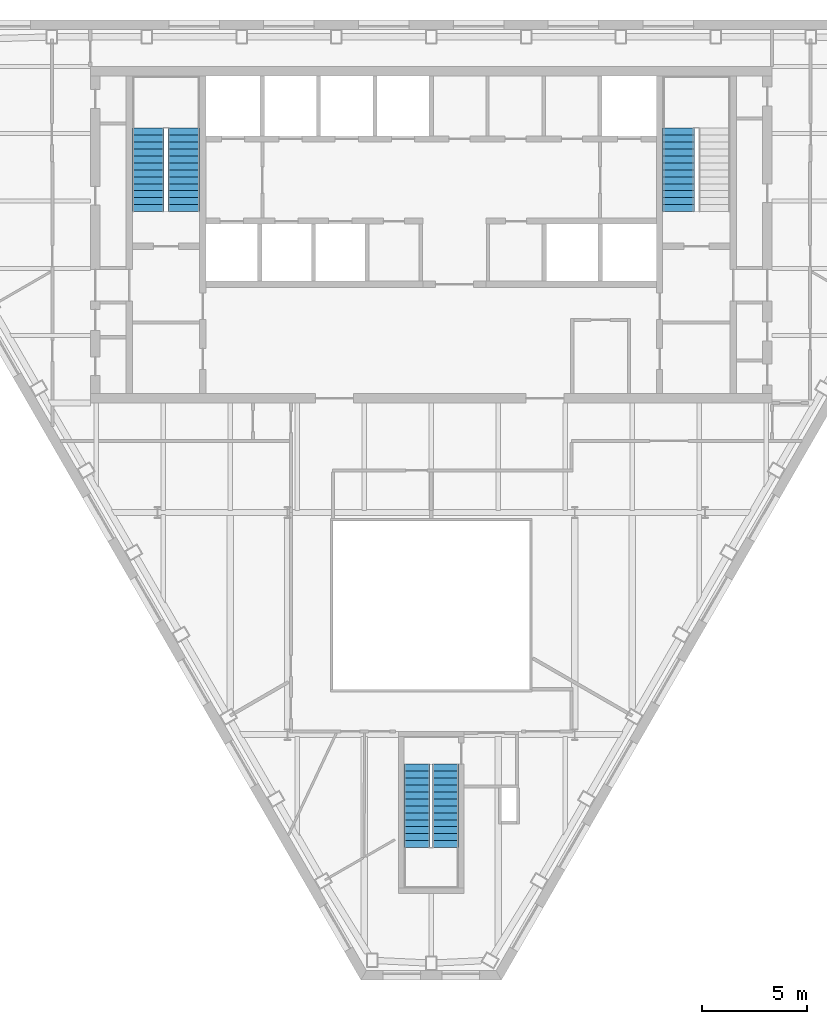
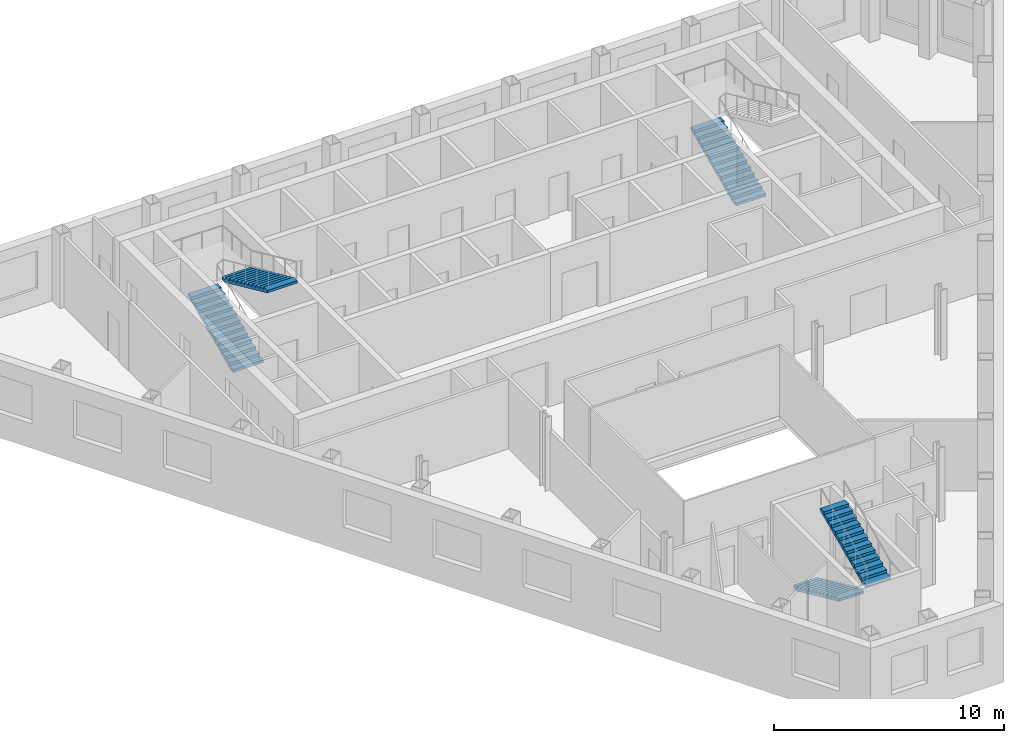
# One storey, part 8 of 10: 5 stair flights, 3 elements without a shape of their own.
"""IFC4 building model written with IfcOpenShell, lengths in metres."""

from ifc_helpers import new_model, si_unit, direction, frame, origin, place, context, subcontext, project, spatial, polygons, material, type_object, element, aggregate, save


model = new_model("IFC4")

# Units and contexts
model_context = context("Model", 3, precision=1e-05, world=origin(), true_north=direction((0.0, 1.0)))
body_context = subcontext(model_context, "Body", "Model", "MODEL_VIEW")
ifc_project = project(units=[si_unit("LENGTHUNIT", "METRE"), si_unit("AREAUNIT", "SQUARE_METRE"), si_unit("VOLUMEUNIT", "CUBIC_METRE"), si_unit("PLANEANGLEUNIT", "RADIAN"), si_unit("MASSUNIT", "GRAM", prefix="KILO")], contexts=[model_context])

# Site, building, storey
site_placement = place(None, origin())
site = spatial("IfcSite", under=ifc_project, at=site_placement, CompositionType="ELEMENT")
building_placement = place(site_placement, origin())
building = spatial("IfcBuilding", under=site, at=building_placement, Name="Njiva Tower", CompositionType="ELEMENT")
storey_placement = place(building_placement, frame((0.0, 0.0, 235.5)))
storey = spatial("IfcBuildingStorey", under=building, at=storey_placement, Name="L53", CompositionType="ELEMENT", Elevation=235.5)

# Stair, stair flights
ifc_material = material(Name="Concrete C40/50", Category="concrete")
stair_type_1 = type_object("IfcStairType", Name="ST1 Exit stair 1250", PredefinedType="HALF_TURN_STAIR", material=ifc_material)
stair_1_placement = place(storey_placement, origin())
stair_1 = element("IfcStair", 1, at=stair_1_placement, inside=storey, type_object=stair_type_1, Name="Stair C", PredefinedType="HALF_TURN_STAIR")
stair_flight_type_1 = type_object("IfcStairFlightType", Name="FL1 Stair flight 1250", PredefinedType="STRAIGHT", material=ifc_material)
stair_flight_1_placement = place(storey_placement, frame((-0.675, -15.16, 0.0), z_axis=(0.0, 0.0, 1.0), x_axis=(0.0, -1.0, 0.0)))
stair_flight_1 = element("IfcStairFlight", 2, at=stair_flight_1_placement, type_object=stair_flight_type_1, Name="ST-C flight 1", NumberOfRisers=13, NumberOfTreads=12, PredefinedType="STRAIGHT", RiserHeight=0.15, TreadLength=0.33, context=body_context, shape_type="Tessellation", body=[
    polygons([(0.0, 0.625, 0.0), (0.0, 0.3125, 0.0), (0.0, 0.0, 0.0), (0.0, -0.3125, 0.0), (0.0, -0.625, 0.0), (0.0, 0.625, 0.15), (0.0, 0.3125, 0.15), (0.0, 0.0, 0.15), (0.0, -0.3125, 0.15), (0.0, -0.625, 0.15), (0.33, 0.625, 0.15), (0.33, 0.3125, 0.15), (0.33, 0.0, 0.15), (0.33, -0.3125, 0.15), (0.33, -0.625, 0.15), (0.33, 0.625, 0.3), (0.33, 0.3125, 0.3), (0.33, 0.0, 0.3), (0.33, -0.3125, 0.3), (0.33, -0.625, 0.3), (0.66, 0.625, 0.3), (0.66, 0.3125, 0.3), (0.66, 0.0, 0.3), (0.66, -0.3125, 0.3), (0.66, -0.625, 0.3), (0.66, 0.625, 0.45), (0.66, 0.3125, 0.45), (0.66, 0.0, 0.45), (0.66, -0.3125, 0.45), (0.66, -0.625, 0.45), (0.99, 0.625, 0.45), (0.99, 0.3125, 0.45), (0.99, 0.0, 0.45), (0.99, -0.3125, 0.45), (0.99, -0.625, 0.45), (0.99, 0.625, 0.6), (0.99, 0.3125, 0.6), (0.99, 0.0, 0.6), (0.99, -0.3125, 0.6), (0.99, -0.625, 0.6), (1.32, 0.625, 0.6), (1.32, 0.3125, 0.6), (1.32, 0.0, 0.6), (1.32, -0.3125, 0.6), (1.32, -0.625, 0.6), (1.32, 0.625, 0.75), (1.32, 0.3125, 0.75), (1.32, 0.0, 0.75), (1.32, -0.3125, 0.75), (1.32, -0.625, 0.75), (1.65, 0.625, 0.75), (1.65, 0.3125, 0.75), (1.65, 0.0, 0.75), (1.65, -0.3125, 0.75), (1.65, -0.625, 0.75), (1.65, 0.625, 0.9), (1.65, 0.3125, 0.9), (1.65, 0.0, 0.9), (1.65, -0.3125, 0.9), (1.65, -0.625, 0.9), (1.98, 0.625, 0.9), (1.98, 0.3125, 0.9), (1.98, 0.0, 0.9), (1.98, -0.3125, 0.9), (1.98, -0.625, 0.9), (1.98, 0.625, 1.05), (1.98, 0.3125, 1.05), (1.98, 0.0, 1.05), (1.98, -0.3125, 1.05), (1.98, -0.625, 1.05), (2.31, 0.625, 1.05), (2.31, 0.3125, 1.05), (2.31, 0.0, 1.05), (2.31, -0.3125, 1.05), (2.31, -0.625, 1.05), (2.31, 0.625, 1.2), (2.31, 0.3125, 1.2), (2.31, 0.0, 1.2), (2.31, -0.3125, 1.2), (2.31, -0.625, 1.2), (2.64, 0.625, 1.2), (2.64, 0.3125, 1.2), (2.64, 0.0, 1.2), (2.64, -0.3125, 1.2), (2.64, -0.625, 1.2), (2.64, 0.625, 1.35), (2.64, 0.3125, 1.35), (2.64, 0.0, 1.35), (2.64, -0.3125, 1.35), (2.64, -0.625, 1.35), (2.97, 0.625, 1.35), (2.97, 0.3125, 1.35), (2.97, 0.0, 1.35), (2.97, -0.3125, 1.35), (2.97, -0.625, 1.35), (2.97, 0.625, 1.5), (2.97, 0.3125, 1.5), (2.97, 0.0, 1.5), (2.97, -0.3125, 1.5), (2.97, -0.625, 1.5), (3.3, 0.625, 1.5), (3.3, 0.3125, 1.5), (3.3, 0.0, 1.5), (3.3, -0.3125, 1.5), (3.3, -0.625, 1.5), (3.3, 0.625, 1.65), (3.3, 0.3125, 1.65), (3.3, 0.0, 1.65), (3.3, -0.3125, 1.65), (3.3, -0.625, 1.65), (3.63, 0.625, 1.65), (3.63, 0.3125, 1.65), (3.63, 0.0, 1.65), (3.63, -0.3125, 1.65), (3.63, -0.625, 1.65), (3.63, 0.625, 1.8), (3.63, 0.3125, 1.8), (3.63, 0.0, 1.8), (3.63, -0.3125, 1.8), (3.63, -0.625, 1.8), (3.96, 0.625, 1.8), (3.96, 0.3125, 1.8), (3.96, 0.0, 1.8), (3.96, -0.3125, 1.8), (3.96, -0.625, 1.8), (3.96, 0.625, 1.6682), (3.96, 0.3125, 1.6682), (3.96, 0.0, 1.6682), (3.96, -0.3125, 1.6682), (3.96, -0.625, 1.6682), (0.29, 0.625, 0.0), (0.29, 0.3125, 0.0), (0.29, 0.0, 0.0), (0.29, -0.3125, 0.0), (0.29, -0.625, 0.0)], [[[1, 6, 11, 16, 21, 26, 31, 36, 41, 46, 51, 56, 61, 66, 71, 76, 81, 86, 91, 96, 101, 106, 111, 116, 121, 126, 131]], [[135, 130, 125, 120, 115, 110, 105, 100, 95, 90, 85, 80, 75, 70, 65, 60, 55, 50, 45, 40, 35, 30, 25, 20, 15, 10, 5]], [[6, 1, 2, 7]], [[7, 2, 3, 8]], [[8, 3, 4, 9]], [[9, 4, 5, 10]], [[11, 6, 7, 12]], [[12, 7, 8, 13]], [[13, 8, 9, 14]], [[14, 9, 10, 15]], [[16, 11, 12, 17]], [[17, 12, 13, 18]], [[18, 13, 14, 19]], [[19, 14, 15, 20]], [[21, 16, 17, 22]], [[22, 17, 18, 23]], [[23, 18, 19, 24]], [[24, 19, 20, 25]], [[26, 21, 22, 27]], [[27, 22, 23, 28]], [[28, 23, 24, 29]], [[29, 24, 25, 30]], [[31, 26, 27, 32]], [[32, 27, 28, 33]], [[33, 28, 29, 34]], [[34, 29, 30, 35]], [[36, 31, 32, 37]], [[37, 32, 33, 38]], [[38, 33, 34, 39]], [[39, 34, 35, 40]], [[41, 36, 37, 42]], [[42, 37, 38, 43]], [[43, 38, 39, 44]], [[44, 39, 40, 45]], [[46, 41, 42, 47]], [[47, 42, 43, 48]], [[48, 43, 44, 49]], [[49, 44, 45, 50]], [[51, 46, 47, 52]], [[52, 47, 48, 53]], [[53, 48, 49, 54]], [[54, 49, 50, 55]], [[56, 51, 52, 57]], [[57, 52, 53, 58]], [[58, 53, 54, 59]], [[59, 54, 55, 60]], [[61, 56, 57, 62]], [[62, 57, 58, 63]], [[63, 58, 59, 64]], [[64, 59, 60, 65]], [[66, 61, 62, 67]], [[67, 62, 63, 68]], [[68, 63, 64, 69]], [[69, 64, 65, 70]], [[71, 66, 67, 72]], [[72, 67, 68, 73]], [[73, 68, 69, 74]], [[74, 69, 70, 75]], [[76, 71, 72, 77]], [[77, 72, 73, 78]], [[78, 73, 74, 79]], [[79, 74, 75, 80]], [[81, 76, 77, 82]], [[82, 77, 78, 83]], [[83, 78, 79, 84]], [[84, 79, 80, 85]], [[86, 81, 82, 87]], [[87, 82, 83, 88]], [[88, 83, 84, 89]], [[89, 84, 85, 90]], [[91, 86, 87, 92]], [[92, 87, 88, 93]], [[93, 88, 89, 94]], [[94, 89, 90, 95]], [[96, 91, 92, 97]], [[97, 92, 93, 98]], [[98, 93, 94, 99]], [[99, 94, 95, 100]], [[101, 96, 97, 102]], [[102, 97, 98, 103]], [[103, 98, 99, 104]], [[104, 99, 100, 105]], [[106, 101, 102, 107]], [[107, 102, 103, 108]], [[108, 103, 104, 109]], [[109, 104, 105, 110]], [[111, 106, 107, 112]], [[112, 107, 108, 113]], [[113, 108, 109, 114]], [[114, 109, 110, 115]], [[116, 111, 112, 117]], [[117, 112, 113, 118]], [[118, 113, 114, 119]], [[119, 114, 115, 120]], [[121, 116, 117, 122]], [[122, 117, 118, 123]], [[123, 118, 119, 124]], [[124, 119, 120, 125]], [[126, 121, 122, 127]], [[127, 122, 123, 128]], [[128, 123, 124, 129]], [[129, 124, 125, 130]], [[131, 126, 127, 132]], [[132, 127, 128, 133]], [[133, 128, 129, 134]], [[134, 129, 130, 135]], [[1, 131, 132, 2]], [[2, 132, 133, 3]], [[3, 133, 134, 4]], [[4, 134, 135, 5]]], closed=True),
])
stair_flight_2_placement = place(storey_placement, frame((0.675, -19.12, 1.95), z_axis=(0.0, 0.0, 1.0), x_axis=(0.0, 1.0, 0.0)))
stair_flight_2 = element("IfcStairFlight", 3, at=stair_flight_2_placement, type_object=stair_flight_type_1, Name="ST-C flight 2", NumberOfRisers=13, NumberOfTreads=12, PredefinedType="STRAIGHT", RiserHeight=0.15, TreadLength=0.33, context=body_context, shape_type="Tessellation", body=[
    polygons([(0.0, 0.625, 0.0), (0.0, 0.3125, 0.0), (0.0, 0.0, 0.0), (0.0, -0.3125, 0.0), (0.0, -0.625, 0.0), (0.0, 0.625, 0.15), (0.0, 0.3125, 0.15), (0.0, 0.0, 0.15), (0.0, -0.3125, 0.15), (0.0, -0.625, 0.15), (0.33, 0.625, 0.15), (0.33, 0.3125, 0.15), (0.33, 0.0, 0.15), (0.33, -0.3125, 0.15), (0.33, -0.625, 0.15), (0.33, 0.625, 0.3), (0.33, 0.3125, 0.3), (0.33, 0.0, 0.3), (0.33, -0.3125, 0.3), (0.33, -0.625, 0.3), (0.66, 0.625, 0.3), (0.66, 0.3125, 0.3), (0.66, 0.0, 0.3), (0.66, -0.3125, 0.3), (0.66, -0.625, 0.3), (0.66, 0.625, 0.45), (0.66, 0.3125, 0.45), (0.66, 0.0, 0.45), (0.66, -0.3125, 0.45), (0.66, -0.625, 0.45), (0.99, 0.625, 0.45), (0.99, 0.3125, 0.45), (0.99, 0.0, 0.45), (0.99, -0.3125, 0.45), (0.99, -0.625, 0.45), (0.99, 0.625, 0.6), (0.99, 0.3125, 0.6), (0.99, 0.0, 0.6), (0.99, -0.3125, 0.6), (0.99, -0.625, 0.6), (1.32, 0.625, 0.6), (1.32, 0.3125, 0.6), (1.32, 0.0, 0.6), (1.32, -0.3125, 0.6), (1.32, -0.625, 0.6), (1.32, 0.625, 0.75), (1.32, 0.3125, 0.75), (1.32, 0.0, 0.75), (1.32, -0.3125, 0.75), (1.32, -0.625, 0.75), (1.65, 0.625, 0.75), (1.65, 0.3125, 0.75), (1.65, 0.0, 0.75), (1.65, -0.3125, 0.75), (1.65, -0.625, 0.75), (1.65, 0.625, 0.9), (1.65, 0.3125, 0.9), (1.65, 0.0, 0.9), (1.65, -0.3125, 0.9), (1.65, -0.625, 0.9), (1.98, 0.625, 0.9), (1.98, 0.3125, 0.9), (1.98, 0.0, 0.9), (1.98, -0.3125, 0.9), (1.98, -0.625, 0.9), (1.98, 0.625, 1.05), (1.98, 0.3125, 1.05), (1.98, 0.0, 1.05), (1.98, -0.3125, 1.05), (1.98, -0.625, 1.05), (2.31, 0.625, 1.05), (2.31, 0.3125, 1.05), (2.31, 0.0, 1.05), (2.31, -0.3125, 1.05), (2.31, -0.625, 1.05), (2.31, 0.625, 1.2), (2.31, 0.3125, 1.2), (2.31, 0.0, 1.2), (2.31, -0.3125, 1.2), (2.31, -0.625, 1.2), (2.64, 0.625, 1.2), (2.64, 0.3125, 1.2), (2.64, 0.0, 1.2), (2.64, -0.3125, 1.2), (2.64, -0.625, 1.2), (2.64, 0.625, 1.35), (2.64, 0.3125, 1.35), (2.64, 0.0, 1.35), (2.64, -0.3125, 1.35), (2.64, -0.625, 1.35), (2.97, 0.625, 1.35), (2.97, 0.3125, 1.35), (2.97, 0.0, 1.35), (2.97, -0.3125, 1.35), (2.97, -0.625, 1.35), (2.97, 0.625, 1.5), (2.97, 0.3125, 1.5), (2.97, 0.0, 1.5), (2.97, -0.3125, 1.5), (2.97, -0.625, 1.5), (3.3, 0.625, 1.5), (3.3, 0.3125, 1.5), (3.3, 0.0, 1.5), (3.3, -0.3125, 1.5), (3.3, -0.625, 1.5), (3.3, 0.625, 1.65), (3.3, 0.3125, 1.65), (3.3, 0.0, 1.65), (3.3, -0.3125, 1.65), (3.3, -0.625, 1.65), (3.63, 0.625, 1.65), (3.63, 0.3125, 1.65), (3.63, 0.0, 1.65), (3.63, -0.3125, 1.65), (3.63, -0.625, 1.65), (3.63, 0.625, 1.8), (3.63, 0.3125, 1.8), (3.63, 0.0, 1.8), (3.63, -0.3125, 1.8), (3.63, -0.625, 1.8), (3.96, 0.625, 1.8), (3.96, 0.3125, 1.8), (3.96, 0.0, 1.8), (3.96, -0.3125, 1.8), (3.96, -0.625, 1.8), (3.96, 0.625, 1.6682), (3.96, 0.3125, 1.6682), (3.96, 0.0, 1.6682), (3.96, -0.3125, 1.6682), (3.96, -0.625, 1.6682), (0.29, 0.625, 0.0), (0.29, 0.3125, 0.0), (0.29, 0.0, 0.0), (0.29, -0.3125, 0.0), (0.29, -0.625, 0.0)], [[[1, 6, 11, 16, 21, 26, 31, 36, 41, 46, 51, 56, 61, 66, 71, 76, 81, 86, 91, 96, 101, 106, 111, 116, 121, 126, 131]], [[135, 130, 125, 120, 115, 110, 105, 100, 95, 90, 85, 80, 75, 70, 65, 60, 55, 50, 45, 40, 35, 30, 25, 20, 15, 10, 5]], [[6, 1, 2, 7]], [[7, 2, 3, 8]], [[8, 3, 4, 9]], [[9, 4, 5, 10]], [[11, 6, 7, 12]], [[12, 7, 8, 13]], [[13, 8, 9, 14]], [[14, 9, 10, 15]], [[16, 11, 12, 17]], [[17, 12, 13, 18]], [[18, 13, 14, 19]], [[19, 14, 15, 20]], [[21, 16, 17, 22]], [[22, 17, 18, 23]], [[23, 18, 19, 24]], [[24, 19, 20, 25]], [[26, 21, 22, 27]], [[27, 22, 23, 28]], [[28, 23, 24, 29]], [[29, 24, 25, 30]], [[31, 26, 27, 32]], [[32, 27, 28, 33]], [[33, 28, 29, 34]], [[34, 29, 30, 35]], [[36, 31, 32, 37]], [[37, 32, 33, 38]], [[38, 33, 34, 39]], [[39, 34, 35, 40]], [[41, 36, 37, 42]], [[42, 37, 38, 43]], [[43, 38, 39, 44]], [[44, 39, 40, 45]], [[46, 41, 42, 47]], [[47, 42, 43, 48]], [[48, 43, 44, 49]], [[49, 44, 45, 50]], [[51, 46, 47, 52]], [[52, 47, 48, 53]], [[53, 48, 49, 54]], [[54, 49, 50, 55]], [[56, 51, 52, 57]], [[57, 52, 53, 58]], [[58, 53, 54, 59]], [[59, 54, 55, 60]], [[61, 56, 57, 62]], [[62, 57, 58, 63]], [[63, 58, 59, 64]], [[64, 59, 60, 65]], [[66, 61, 62, 67]], [[67, 62, 63, 68]], [[68, 63, 64, 69]], [[69, 64, 65, 70]], [[71, 66, 67, 72]], [[72, 67, 68, 73]], [[73, 68, 69, 74]], [[74, 69, 70, 75]], [[76, 71, 72, 77]], [[77, 72, 73, 78]], [[78, 73, 74, 79]], [[79, 74, 75, 80]], [[81, 76, 77, 82]], [[82, 77, 78, 83]], [[83, 78, 79, 84]], [[84, 79, 80, 85]], [[86, 81, 82, 87]], [[87, 82, 83, 88]], [[88, 83, 84, 89]], [[89, 84, 85, 90]], [[91, 86, 87, 92]], [[92, 87, 88, 93]], [[93, 88, 89, 94]], [[94, 89, 90, 95]], [[96, 91, 92, 97]], [[97, 92, 93, 98]], [[98, 93, 94, 99]], [[99, 94, 95, 100]], [[101, 96, 97, 102]], [[102, 97, 98, 103]], [[103, 98, 99, 104]], [[104, 99, 100, 105]], [[106, 101, 102, 107]], [[107, 102, 103, 108]], [[108, 103, 104, 109]], [[109, 104, 105, 110]], [[111, 106, 107, 112]], [[112, 107, 108, 113]], [[113, 108, 109, 114]], [[114, 109, 110, 115]], [[116, 111, 112, 117]], [[117, 112, 113, 118]], [[118, 113, 114, 119]], [[119, 114, 115, 120]], [[121, 116, 117, 122]], [[122, 117, 118, 123]], [[123, 118, 119, 124]], [[124, 119, 120, 125]], [[126, 121, 122, 127]], [[127, 122, 123, 128]], [[128, 123, 124, 129]], [[129, 124, 125, 130]], [[131, 126, 127, 132]], [[132, 127, 128, 133]], [[133, 128, 129, 134]], [[134, 129, 130, 135]], [[1, 131, 132, 2]], [[2, 132, 133, 3]], [[3, 133, 134, 4]], [[4, 134, 135, 5]]], closed=True),
])
aggregate(stair_1, [stair_flight_1, stair_flight_2])

stair_type_2 = type_object("IfcStairType", Name="ST4 Exit stair 1500", PredefinedType="HALF_TURN_STAIR", material=ifc_material)
stair_2_placement = place(storey_placement, origin())
stair_2 = element("IfcStair", 4, at=stair_2_placement, inside=storey, type_object=stair_type_2, Name="Stair A", PredefinedType="HALF_TURN_STAIR")
stair_flight_type_2 = type_object("IfcStairFlightType", Name="FL4 Stair flight 1500", PredefinedType="STRAIGHT", material=ifc_material)
stair_flight_3_placement = place(storey_placement, frame((-13.45, 11.1, 0.0), z_axis=(0.0, 0.0, 1.0), x_axis=(0.0, 1.0, 0.0)))
stair_flight_3 = element("IfcStairFlight", 5, at=stair_flight_3_placement, type_object=stair_flight_type_2, Name="ST-A flight 1", NumberOfRisers=13, NumberOfTreads=12, PredefinedType="STRAIGHT", RiserHeight=0.15, TreadLength=0.33, context=body_context, shape_type="Tessellation", body=[
    polygons([(0.0, 0.75, 0.0), (0.0, 0.375, 0.0), (0.0, 0.0, 0.0), (0.0, -0.375, 0.0), (0.0, -0.75, 0.0), (0.0, 0.75, 0.15), (0.0, 0.375, 0.15), (0.0, 0.0, 0.15), (0.0, -0.375, 0.15), (0.0, -0.75, 0.15), (0.33, 0.75, 0.15), (0.33, 0.375, 0.15), (0.33, 0.0, 0.15), (0.33, -0.375, 0.15), (0.33, -0.75, 0.15), (0.33, 0.75, 0.3), (0.33, 0.375, 0.3), (0.33, 0.0, 0.3), (0.33, -0.375, 0.3), (0.33, -0.75, 0.3), (0.66, 0.75, 0.3), (0.66, 0.375, 0.3), (0.66, 0.0, 0.3), (0.66, -0.375, 0.3), (0.66, -0.75, 0.3), (0.66, 0.75, 0.45), (0.66, 0.375, 0.45), (0.66, 0.0, 0.45), (0.66, -0.375, 0.45), (0.66, -0.75, 0.45), (0.99, 0.75, 0.45), (0.99, 0.375, 0.45), (0.99, 0.0, 0.45), (0.99, -0.375, 0.45), (0.99, -0.75, 0.45), (0.99, 0.75, 0.6), (0.99, 0.375, 0.6), (0.99, 0.0, 0.6), (0.99, -0.375, 0.6), (0.99, -0.75, 0.6), (1.32, 0.75, 0.6), (1.32, 0.375, 0.6), (1.32, 0.0, 0.6), (1.32, -0.375, 0.6), (1.32, -0.75, 0.6), (1.32, 0.75, 0.75), (1.32, 0.375, 0.75), (1.32, 0.0, 0.75), (1.32, -0.375, 0.75), (1.32, -0.75, 0.75), (1.65, 0.75, 0.75), (1.65, 0.375, 0.75), (1.65, 0.0, 0.75), (1.65, -0.375, 0.75), (1.65, -0.75, 0.75), (1.65, 0.75, 0.9), (1.65, 0.375, 0.9), (1.65, 0.0, 0.9), (1.65, -0.375, 0.9), (1.65, -0.75, 0.9), (1.98, 0.75, 0.9), (1.98, 0.375, 0.9), (1.98, 0.0, 0.9), (1.98, -0.375, 0.9), (1.98, -0.75, 0.9), (1.98, 0.75, 1.05), (1.98, 0.375, 1.05), (1.98, 0.0, 1.05), (1.98, -0.375, 1.05), (1.98, -0.75, 1.05), (2.31, 0.75, 1.05), (2.31, 0.375, 1.05), (2.31, 0.0, 1.05), (2.31, -0.375, 1.05), (2.31, -0.75, 1.05), (2.31, 0.75, 1.2), (2.31, 0.375, 1.2), (2.31, 0.0, 1.2), (2.31, -0.375, 1.2), (2.31, -0.75, 1.2), (2.64, 0.75, 1.2), (2.64, 0.375, 1.2), (2.64, 0.0, 1.2), (2.64, -0.375, 1.2), (2.64, -0.75, 1.2), (2.64, 0.75, 1.35), (2.64, 0.375, 1.35), (2.64, 0.0, 1.35), (2.64, -0.375, 1.35), (2.64, -0.75, 1.35), (2.97, 0.75, 1.35), (2.97, 0.375, 1.35), (2.97, 0.0, 1.35), (2.97, -0.375, 1.35), (2.97, -0.75, 1.35), (2.97, 0.75, 1.5), (2.97, 0.375, 1.5), (2.97, 0.0, 1.5), (2.97, -0.375, 1.5), (2.97, -0.75, 1.5), (3.3, 0.75, 1.5), (3.3, 0.375, 1.5), (3.3, 0.0, 1.5), (3.3, -0.375, 1.5), (3.3, -0.75, 1.5), (3.3, 0.75, 1.65), (3.3, 0.375, 1.65), (3.3, 0.0, 1.65), (3.3, -0.375, 1.65), (3.3, -0.75, 1.65), (3.63, 0.75, 1.65), (3.63, 0.375, 1.65), (3.63, 0.0, 1.65), (3.63, -0.375, 1.65), (3.63, -0.75, 1.65), (3.63, 0.75, 1.8), (3.63, 0.375, 1.8), (3.63, 0.0, 1.8), (3.63, -0.375, 1.8), (3.63, -0.75, 1.8), (3.96, 0.75, 1.8), (3.96, 0.375, 1.8), (3.96, 0.0, 1.8), (3.96, -0.375, 1.8), (3.96, -0.75, 1.8), (3.96, 0.75, 1.6682), (3.96, 0.375, 1.6682), (3.96, 0.0, 1.6682), (3.96, -0.375, 1.6682), (3.96, -0.75, 1.6682), (0.29, 0.75, 0.0), (0.29, 0.375, 0.0), (0.29, 0.0, 0.0), (0.29, -0.375, 0.0), (0.29, -0.75, 0.0)], [[[1, 6, 11, 16, 21, 26, 31, 36, 41, 46, 51, 56, 61, 66, 71, 76, 81, 86, 91, 96, 101, 106, 111, 116, 121, 126, 131]], [[135, 130, 125, 120, 115, 110, 105, 100, 95, 90, 85, 80, 75, 70, 65, 60, 55, 50, 45, 40, 35, 30, 25, 20, 15, 10, 5]], [[6, 1, 2, 7]], [[7, 2, 3, 8]], [[8, 3, 4, 9]], [[9, 4, 5, 10]], [[11, 6, 7, 12]], [[12, 7, 8, 13]], [[13, 8, 9, 14]], [[14, 9, 10, 15]], [[16, 11, 12, 17]], [[17, 12, 13, 18]], [[18, 13, 14, 19]], [[19, 14, 15, 20]], [[21, 16, 17, 22]], [[22, 17, 18, 23]], [[23, 18, 19, 24]], [[24, 19, 20, 25]], [[26, 21, 22, 27]], [[27, 22, 23, 28]], [[28, 23, 24, 29]], [[29, 24, 25, 30]], [[31, 26, 27, 32]], [[32, 27, 28, 33]], [[33, 28, 29, 34]], [[34, 29, 30, 35]], [[36, 31, 32, 37]], [[37, 32, 33, 38]], [[38, 33, 34, 39]], [[39, 34, 35, 40]], [[41, 36, 37, 42]], [[42, 37, 38, 43]], [[43, 38, 39, 44]], [[44, 39, 40, 45]], [[46, 41, 42, 47]], [[47, 42, 43, 48]], [[48, 43, 44, 49]], [[49, 44, 45, 50]], [[51, 46, 47, 52]], [[52, 47, 48, 53]], [[53, 48, 49, 54]], [[54, 49, 50, 55]], [[56, 51, 52, 57]], [[57, 52, 53, 58]], [[58, 53, 54, 59]], [[59, 54, 55, 60]], [[61, 56, 57, 62]], [[62, 57, 58, 63]], [[63, 58, 59, 64]], [[64, 59, 60, 65]], [[66, 61, 62, 67]], [[67, 62, 63, 68]], [[68, 63, 64, 69]], [[69, 64, 65, 70]], [[71, 66, 67, 72]], [[72, 67, 68, 73]], [[73, 68, 69, 74]], [[74, 69, 70, 75]], [[76, 71, 72, 77]], [[77, 72, 73, 78]], [[78, 73, 74, 79]], [[79, 74, 75, 80]], [[81, 76, 77, 82]], [[82, 77, 78, 83]], [[83, 78, 79, 84]], [[84, 79, 80, 85]], [[86, 81, 82, 87]], [[87, 82, 83, 88]], [[88, 83, 84, 89]], [[89, 84, 85, 90]], [[91, 86, 87, 92]], [[92, 87, 88, 93]], [[93, 88, 89, 94]], [[94, 89, 90, 95]], [[96, 91, 92, 97]], [[97, 92, 93, 98]], [[98, 93, 94, 99]], [[99, 94, 95, 100]], [[101, 96, 97, 102]], [[102, 97, 98, 103]], [[103, 98, 99, 104]], [[104, 99, 100, 105]], [[106, 101, 102, 107]], [[107, 102, 103, 108]], [[108, 103, 104, 109]], [[109, 104, 105, 110]], [[111, 106, 107, 112]], [[112, 107, 108, 113]], [[113, 108, 109, 114]], [[114, 109, 110, 115]], [[116, 111, 112, 117]], [[117, 112, 113, 118]], [[118, 113, 114, 119]], [[119, 114, 115, 120]], [[121, 116, 117, 122]], [[122, 117, 118, 123]], [[123, 118, 119, 124]], [[124, 119, 120, 125]], [[126, 121, 122, 127]], [[127, 122, 123, 128]], [[128, 123, 124, 129]], [[129, 124, 125, 130]], [[131, 126, 127, 132]], [[132, 127, 128, 133]], [[133, 128, 129, 134]], [[134, 129, 130, 135]], [[1, 131, 132, 2]], [[2, 132, 133, 3]], [[3, 133, 134, 4]], [[4, 134, 135, 5]]], closed=True),
])
stair_flight_4_placement = place(storey_placement, frame((-11.75, 15.06, 1.95), z_axis=(0.0, 0.0, 1.0), x_axis=(0.0, -1.0, 0.0)))
stair_flight_4 = element("IfcStairFlight", 6, at=stair_flight_4_placement, type_object=stair_flight_type_2, Name="ST-A flight 2", NumberOfRisers=13, NumberOfTreads=12, PredefinedType="STRAIGHT", RiserHeight=0.15, TreadLength=0.33, context=body_context, shape_type="Tessellation", body=[
    polygons([(0.0, 0.75, 0.0), (0.0, 0.375, 0.0), (0.0, 0.0, 0.0), (0.0, -0.375, 0.0), (0.0, -0.75, 0.0), (0.0, 0.75, 0.15), (0.0, 0.375, 0.15), (0.0, 0.0, 0.15), (0.0, -0.375, 0.15), (0.0, -0.75, 0.15), (0.33, 0.75, 0.15), (0.33, 0.375, 0.15), (0.33, 0.0, 0.15), (0.33, -0.375, 0.15), (0.33, -0.75, 0.15), (0.33, 0.75, 0.3), (0.33, 0.375, 0.3), (0.33, 0.0, 0.3), (0.33, -0.375, 0.3), (0.33, -0.75, 0.3), (0.66, 0.75, 0.3), (0.66, 0.375, 0.3), (0.66, 0.0, 0.3), (0.66, -0.375, 0.3), (0.66, -0.75, 0.3), (0.66, 0.75, 0.45), (0.66, 0.375, 0.45), (0.66, 0.0, 0.45), (0.66, -0.375, 0.45), (0.66, -0.75, 0.45), (0.99, 0.75, 0.45), (0.99, 0.375, 0.45), (0.99, 0.0, 0.45), (0.99, -0.375, 0.45), (0.99, -0.75, 0.45), (0.99, 0.75, 0.6), (0.99, 0.375, 0.6), (0.99, 0.0, 0.6), (0.99, -0.375, 0.6), (0.99, -0.75, 0.6), (1.32, 0.75, 0.6), (1.32, 0.375, 0.6), (1.32, 0.0, 0.6), (1.32, -0.375, 0.6), (1.32, -0.75, 0.6), (1.32, 0.75, 0.75), (1.32, 0.375, 0.75), (1.32, 0.0, 0.75), (1.32, -0.375, 0.75), (1.32, -0.75, 0.75), (1.65, 0.75, 0.75), (1.65, 0.375, 0.75), (1.65, 0.0, 0.75), (1.65, -0.375, 0.75), (1.65, -0.75, 0.75), (1.65, 0.75, 0.9), (1.65, 0.375, 0.9), (1.65, 0.0, 0.9), (1.65, -0.375, 0.9), (1.65, -0.75, 0.9), (1.98, 0.75, 0.9), (1.98, 0.375, 0.9), (1.98, 0.0, 0.9), (1.98, -0.375, 0.9), (1.98, -0.75, 0.9), (1.98, 0.75, 1.05), (1.98, 0.375, 1.05), (1.98, 0.0, 1.05), (1.98, -0.375, 1.05), (1.98, -0.75, 1.05), (2.31, 0.75, 1.05), (2.31, 0.375, 1.05), (2.31, 0.0, 1.05), (2.31, -0.375, 1.05), (2.31, -0.75, 1.05), (2.31, 0.75, 1.2), (2.31, 0.375, 1.2), (2.31, 0.0, 1.2), (2.31, -0.375, 1.2), (2.31, -0.75, 1.2), (2.64, 0.75, 1.2), (2.64, 0.375, 1.2), (2.64, 0.0, 1.2), (2.64, -0.375, 1.2), (2.64, -0.75, 1.2), (2.64, 0.75, 1.35), (2.64, 0.375, 1.35), (2.64, 0.0, 1.35), (2.64, -0.375, 1.35), (2.64, -0.75, 1.35), (2.97, 0.75, 1.35), (2.97, 0.375, 1.35), (2.97, 0.0, 1.35), (2.97, -0.375, 1.35), (2.97, -0.75, 1.35), (2.97, 0.75, 1.5), (2.97, 0.375, 1.5), (2.97, 0.0, 1.5), (2.97, -0.375, 1.5), (2.97, -0.75, 1.5), (3.3, 0.75, 1.5), (3.3, 0.375, 1.5), (3.3, 0.0, 1.5), (3.3, -0.375, 1.5), (3.3, -0.75, 1.5), (3.3, 0.75, 1.65), (3.3, 0.375, 1.65), (3.3, 0.0, 1.65), (3.3, -0.375, 1.65), (3.3, -0.75, 1.65), (3.63, 0.75, 1.65), (3.63, 0.375, 1.65), (3.63, 0.0, 1.65), (3.63, -0.375, 1.65), (3.63, -0.75, 1.65), (3.63, 0.75, 1.8), (3.63, 0.375, 1.8), (3.63, 0.0, 1.8), (3.63, -0.375, 1.8), (3.63, -0.75, 1.8), (3.96, 0.75, 1.8), (3.96, 0.375, 1.8), (3.96, 0.0, 1.8), (3.96, -0.375, 1.8), (3.96, -0.75, 1.8), (3.96, 0.75, 1.6682), (3.96, 0.375, 1.6682), (3.96, 0.0, 1.6682), (3.96, -0.375, 1.6682), (3.96, -0.75, 1.6682), (0.29, 0.75, 0.0), (0.29, 0.375, 0.0), (0.29, 0.0, 0.0), (0.29, -0.375, 0.0), (0.29, -0.75, 0.0)], [[[1, 6, 11, 16, 21, 26, 31, 36, 41, 46, 51, 56, 61, 66, 71, 76, 81, 86, 91, 96, 101, 106, 111, 116, 121, 126, 131]], [[135, 130, 125, 120, 115, 110, 105, 100, 95, 90, 85, 80, 75, 70, 65, 60, 55, 50, 45, 40, 35, 30, 25, 20, 15, 10, 5]], [[6, 1, 2, 7]], [[7, 2, 3, 8]], [[8, 3, 4, 9]], [[9, 4, 5, 10]], [[11, 6, 7, 12]], [[12, 7, 8, 13]], [[13, 8, 9, 14]], [[14, 9, 10, 15]], [[16, 11, 12, 17]], [[17, 12, 13, 18]], [[18, 13, 14, 19]], [[19, 14, 15, 20]], [[21, 16, 17, 22]], [[22, 17, 18, 23]], [[23, 18, 19, 24]], [[24, 19, 20, 25]], [[26, 21, 22, 27]], [[27, 22, 23, 28]], [[28, 23, 24, 29]], [[29, 24, 25, 30]], [[31, 26, 27, 32]], [[32, 27, 28, 33]], [[33, 28, 29, 34]], [[34, 29, 30, 35]], [[36, 31, 32, 37]], [[37, 32, 33, 38]], [[38, 33, 34, 39]], [[39, 34, 35, 40]], [[41, 36, 37, 42]], [[42, 37, 38, 43]], [[43, 38, 39, 44]], [[44, 39, 40, 45]], [[46, 41, 42, 47]], [[47, 42, 43, 48]], [[48, 43, 44, 49]], [[49, 44, 45, 50]], [[51, 46, 47, 52]], [[52, 47, 48, 53]], [[53, 48, 49, 54]], [[54, 49, 50, 55]], [[56, 51, 52, 57]], [[57, 52, 53, 58]], [[58, 53, 54, 59]], [[59, 54, 55, 60]], [[61, 56, 57, 62]], [[62, 57, 58, 63]], [[63, 58, 59, 64]], [[64, 59, 60, 65]], [[66, 61, 62, 67]], [[67, 62, 63, 68]], [[68, 63, 64, 69]], [[69, 64, 65, 70]], [[71, 66, 67, 72]], [[72, 67, 68, 73]], [[73, 68, 69, 74]], [[74, 69, 70, 75]], [[76, 71, 72, 77]], [[77, 72, 73, 78]], [[78, 73, 74, 79]], [[79, 74, 75, 80]], [[81, 76, 77, 82]], [[82, 77, 78, 83]], [[83, 78, 79, 84]], [[84, 79, 80, 85]], [[86, 81, 82, 87]], [[87, 82, 83, 88]], [[88, 83, 84, 89]], [[89, 84, 85, 90]], [[91, 86, 87, 92]], [[92, 87, 88, 93]], [[93, 88, 89, 94]], [[94, 89, 90, 95]], [[96, 91, 92, 97]], [[97, 92, 93, 98]], [[98, 93, 94, 99]], [[99, 94, 95, 100]], [[101, 96, 97, 102]], [[102, 97, 98, 103]], [[103, 98, 99, 104]], [[104, 99, 100, 105]], [[106, 101, 102, 107]], [[107, 102, 103, 108]], [[108, 103, 104, 109]], [[109, 104, 105, 110]], [[111, 106, 107, 112]], [[112, 107, 108, 113]], [[113, 108, 109, 114]], [[114, 109, 110, 115]], [[116, 111, 112, 117]], [[117, 112, 113, 118]], [[118, 113, 114, 119]], [[119, 114, 115, 120]], [[121, 116, 117, 122]], [[122, 117, 118, 123]], [[123, 118, 119, 124]], [[124, 119, 120, 125]], [[126, 121, 122, 127]], [[127, 122, 123, 128]], [[128, 123, 124, 129]], [[129, 124, 125, 130]], [[131, 126, 127, 132]], [[132, 127, 128, 133]], [[133, 128, 129, 134]], [[134, 129, 130, 135]], [[1, 131, 132, 2]], [[2, 132, 133, 3]], [[3, 133, 134, 4]], [[4, 134, 135, 5]]], closed=True),
])
aggregate(stair_2, [stair_flight_3, stair_flight_4])

# Stair, stair flight
stair_3_placement = place(storey_placement, origin())
stair_3 = element("IfcStair", 7, at=stair_3_placement, inside=storey, type_object=stair_type_2, Name="Stair B", PredefinedType="HALF_TURN_STAIR")
stair_flight_5_placement = place(storey_placement, frame((11.75, 11.1, 0.0), z_axis=(0.0, 0.0, 1.0), x_axis=(0.0, 1.0, 0.0)))
stair_flight_5 = element("IfcStairFlight", 8, at=stair_flight_5_placement, type_object=stair_flight_type_2, Name="ST-B flight 1", NumberOfRisers=13, NumberOfTreads=12, PredefinedType="STRAIGHT", RiserHeight=0.15, TreadLength=0.33, context=body_context, shape_type="Tessellation", body=[
    polygons([(0.0, 0.75, 0.0), (0.0, 0.375, 0.0), (0.0, 0.0, 0.0), (0.0, -0.375, 0.0), (0.0, -0.75, 0.0), (0.0, 0.75, 0.15), (0.0, 0.375, 0.15), (0.0, 0.0, 0.15), (0.0, -0.375, 0.15), (0.0, -0.75, 0.15), (0.33, 0.75, 0.15), (0.33, 0.375, 0.15), (0.33, 0.0, 0.15), (0.33, -0.375, 0.15), (0.33, -0.75, 0.15), (0.33, 0.75, 0.3), (0.33, 0.375, 0.3), (0.33, 0.0, 0.3), (0.33, -0.375, 0.3), (0.33, -0.75, 0.3), (0.66, 0.75, 0.3), (0.66, 0.375, 0.3), (0.66, 0.0, 0.3), (0.66, -0.375, 0.3), (0.66, -0.75, 0.3), (0.66, 0.75, 0.45), (0.66, 0.375, 0.45), (0.66, 0.0, 0.45), (0.66, -0.375, 0.45), (0.66, -0.75, 0.45), (0.99, 0.75, 0.45), (0.99, 0.375, 0.45), (0.99, 0.0, 0.45), (0.99, -0.375, 0.45), (0.99, -0.75, 0.45), (0.99, 0.75, 0.6), (0.99, 0.375, 0.6), (0.99, 0.0, 0.6), (0.99, -0.375, 0.6), (0.99, -0.75, 0.6), (1.32, 0.75, 0.6), (1.32, 0.375, 0.6), (1.32, 0.0, 0.6), (1.32, -0.375, 0.6), (1.32, -0.75, 0.6), (1.32, 0.75, 0.75), (1.32, 0.375, 0.75), (1.32, 0.0, 0.75), (1.32, -0.375, 0.75), (1.32, -0.75, 0.75), (1.65, 0.75, 0.75), (1.65, 0.375, 0.75), (1.65, 0.0, 0.75), (1.65, -0.375, 0.75), (1.65, -0.75, 0.75), (1.65, 0.75, 0.9), (1.65, 0.375, 0.9), (1.65, 0.0, 0.9), (1.65, -0.375, 0.9), (1.65, -0.75, 0.9), (1.98, 0.75, 0.9), (1.98, 0.375, 0.9), (1.98, 0.0, 0.9), (1.98, -0.375, 0.9), (1.98, -0.75, 0.9), (1.98, 0.75, 1.05), (1.98, 0.375, 1.05), (1.98, 0.0, 1.05), (1.98, -0.375, 1.05), (1.98, -0.75, 1.05), (2.31, 0.75, 1.05), (2.31, 0.375, 1.05), (2.31, 0.0, 1.05), (2.31, -0.375, 1.05), (2.31, -0.75, 1.05), (2.31, 0.75, 1.2), (2.31, 0.375, 1.2), (2.31, 0.0, 1.2), (2.31, -0.375, 1.2), (2.31, -0.75, 1.2), (2.64, 0.75, 1.2), (2.64, 0.375, 1.2), (2.64, 0.0, 1.2), (2.64, -0.375, 1.2), (2.64, -0.75, 1.2), (2.64, 0.75, 1.35), (2.64, 0.375, 1.35), (2.64, 0.0, 1.35), (2.64, -0.375, 1.35), (2.64, -0.75, 1.35), (2.97, 0.75, 1.35), (2.97, 0.375, 1.35), (2.97, 0.0, 1.35), (2.97, -0.375, 1.35), (2.97, -0.75, 1.35), (2.97, 0.75, 1.5), (2.97, 0.375, 1.5), (2.97, 0.0, 1.5), (2.97, -0.375, 1.5), (2.97, -0.75, 1.5), (3.3, 0.75, 1.5), (3.3, 0.375, 1.5), (3.3, 0.0, 1.5), (3.3, -0.375, 1.5), (3.3, -0.75, 1.5), (3.3, 0.75, 1.65), (3.3, 0.375, 1.65), (3.3, 0.0, 1.65), (3.3, -0.375, 1.65), (3.3, -0.75, 1.65), (3.63, 0.75, 1.65), (3.63, 0.375, 1.65), (3.63, 0.0, 1.65), (3.63, -0.375, 1.65), (3.63, -0.75, 1.65), (3.63, 0.75, 1.8), (3.63, 0.375, 1.8), (3.63, 0.0, 1.8), (3.63, -0.375, 1.8), (3.63, -0.75, 1.8), (3.96, 0.75, 1.8), (3.96, 0.375, 1.8), (3.96, 0.0, 1.8), (3.96, -0.375, 1.8), (3.96, -0.75, 1.8), (3.96, 0.75, 1.6682), (3.96, 0.375, 1.6682), (3.96, 0.0, 1.6682), (3.96, -0.375, 1.6682), (3.96, -0.75, 1.6682), (0.29, 0.75, 0.0), (0.29, 0.375, 0.0), (0.29, 0.0, 0.0), (0.29, -0.375, 0.0), (0.29, -0.75, 0.0)], [[[1, 6, 11, 16, 21, 26, 31, 36, 41, 46, 51, 56, 61, 66, 71, 76, 81, 86, 91, 96, 101, 106, 111, 116, 121, 126, 131]], [[135, 130, 125, 120, 115, 110, 105, 100, 95, 90, 85, 80, 75, 70, 65, 60, 55, 50, 45, 40, 35, 30, 25, 20, 15, 10, 5]], [[6, 1, 2, 7]], [[7, 2, 3, 8]], [[8, 3, 4, 9]], [[9, 4, 5, 10]], [[11, 6, 7, 12]], [[12, 7, 8, 13]], [[13, 8, 9, 14]], [[14, 9, 10, 15]], [[16, 11, 12, 17]], [[17, 12, 13, 18]], [[18, 13, 14, 19]], [[19, 14, 15, 20]], [[21, 16, 17, 22]], [[22, 17, 18, 23]], [[23, 18, 19, 24]], [[24, 19, 20, 25]], [[26, 21, 22, 27]], [[27, 22, 23, 28]], [[28, 23, 24, 29]], [[29, 24, 25, 30]], [[31, 26, 27, 32]], [[32, 27, 28, 33]], [[33, 28, 29, 34]], [[34, 29, 30, 35]], [[36, 31, 32, 37]], [[37, 32, 33, 38]], [[38, 33, 34, 39]], [[39, 34, 35, 40]], [[41, 36, 37, 42]], [[42, 37, 38, 43]], [[43, 38, 39, 44]], [[44, 39, 40, 45]], [[46, 41, 42, 47]], [[47, 42, 43, 48]], [[48, 43, 44, 49]], [[49, 44, 45, 50]], [[51, 46, 47, 52]], [[52, 47, 48, 53]], [[53, 48, 49, 54]], [[54, 49, 50, 55]], [[56, 51, 52, 57]], [[57, 52, 53, 58]], [[58, 53, 54, 59]], [[59, 54, 55, 60]], [[61, 56, 57, 62]], [[62, 57, 58, 63]], [[63, 58, 59, 64]], [[64, 59, 60, 65]], [[66, 61, 62, 67]], [[67, 62, 63, 68]], [[68, 63, 64, 69]], [[69, 64, 65, 70]], [[71, 66, 67, 72]], [[72, 67, 68, 73]], [[73, 68, 69, 74]], [[74, 69, 70, 75]], [[76, 71, 72, 77]], [[77, 72, 73, 78]], [[78, 73, 74, 79]], [[79, 74, 75, 80]], [[81, 76, 77, 82]], [[82, 77, 78, 83]], [[83, 78, 79, 84]], [[84, 79, 80, 85]], [[86, 81, 82, 87]], [[87, 82, 83, 88]], [[88, 83, 84, 89]], [[89, 84, 85, 90]], [[91, 86, 87, 92]], [[92, 87, 88, 93]], [[93, 88, 89, 94]], [[94, 89, 90, 95]], [[96, 91, 92, 97]], [[97, 92, 93, 98]], [[98, 93, 94, 99]], [[99, 94, 95, 100]], [[101, 96, 97, 102]], [[102, 97, 98, 103]], [[103, 98, 99, 104]], [[104, 99, 100, 105]], [[106, 101, 102, 107]], [[107, 102, 103, 108]], [[108, 103, 104, 109]], [[109, 104, 105, 110]], [[111, 106, 107, 112]], [[112, 107, 108, 113]], [[113, 108, 109, 114]], [[114, 109, 110, 115]], [[116, 111, 112, 117]], [[117, 112, 113, 118]], [[118, 113, 114, 119]], [[119, 114, 115, 120]], [[121, 116, 117, 122]], [[122, 117, 118, 123]], [[123, 118, 119, 124]], [[124, 119, 120, 125]], [[126, 121, 122, 127]], [[127, 122, 123, 128]], [[128, 123, 124, 129]], [[129, 124, 125, 130]], [[131, 126, 127, 132]], [[132, 127, 128, 133]], [[133, 128, 129, 134]], [[134, 129, 130, 135]], [[1, 131, 132, 2]], [[2, 132, 133, 3]], [[3, 133, 134, 4]], [[4, 134, 135, 5]]], closed=True),
])
aggregate(stair_3, [stair_flight_5])

save(model, "model.ifc")
